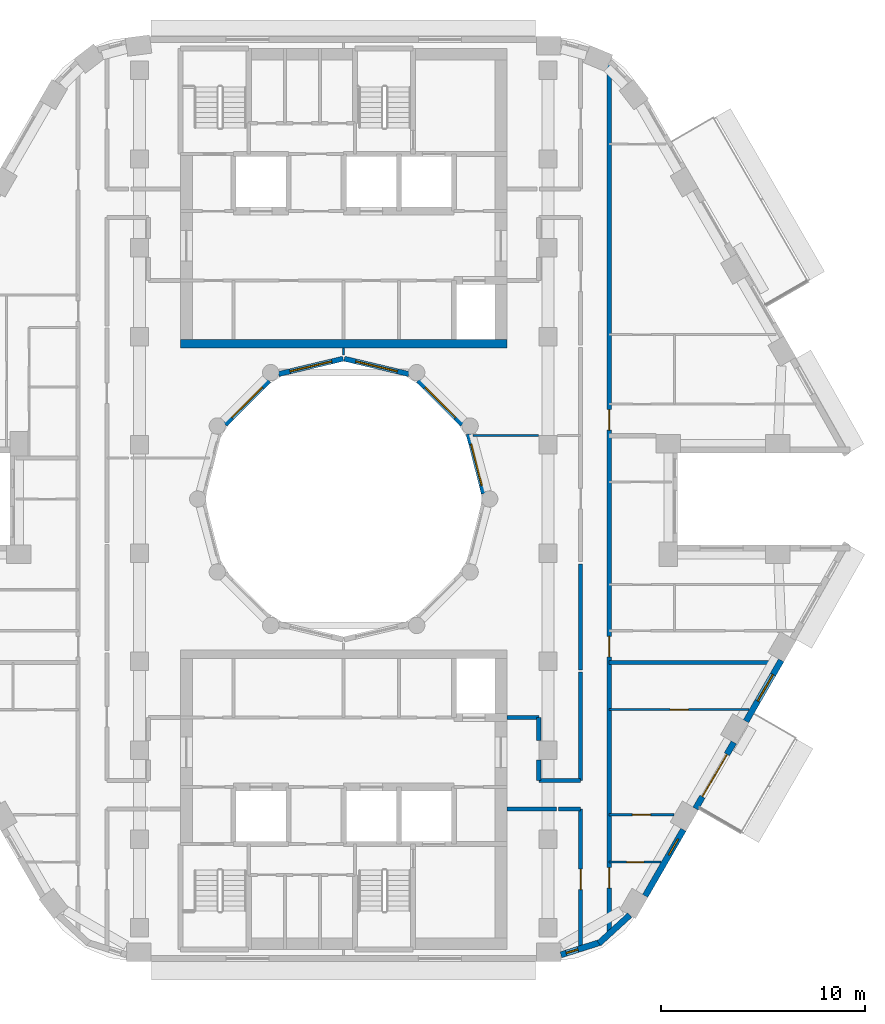
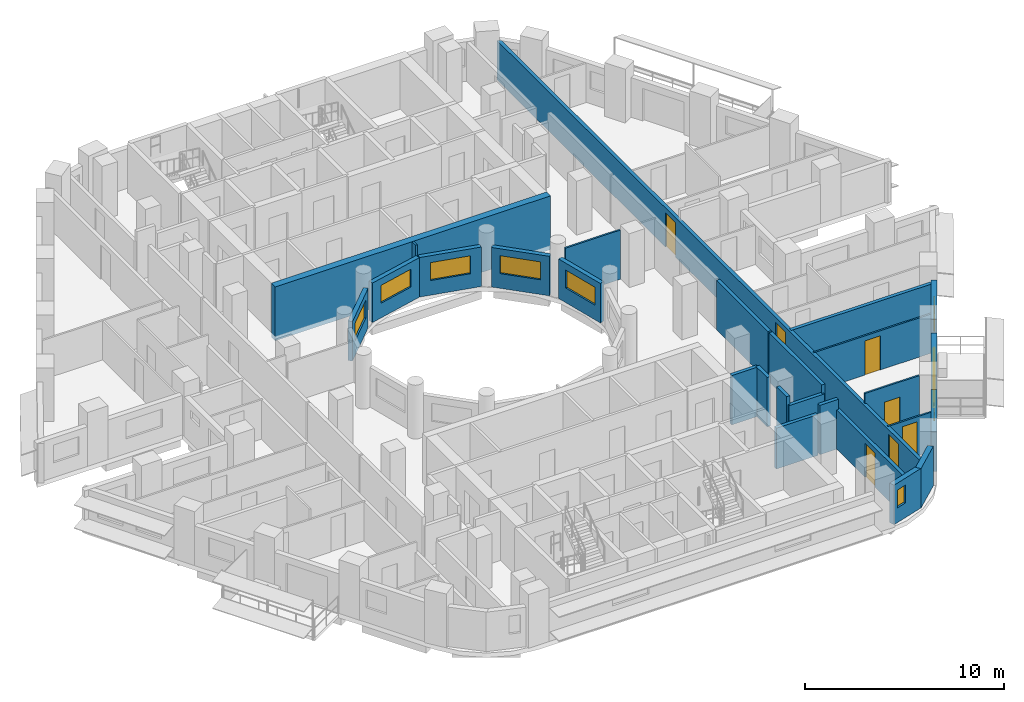
# One storey, part 6 of 18: 27 walls, 8 doors, 8 windows, 16 openings.
"""IFC4 building model written with IfcOpenShell, lengths in metres."""

from ifc_helpers import new_model, si_unit, direction, frame, frame_2d, origin, place, context, subcontext, project, spatial, rectangle, extrude, material, layer, layer_set, type_object, element, fill, save


model = new_model("IFC4")

# Units and contexts
model_context = context("Model", 3, precision=1e-05, world=origin(), true_north=direction((0.0, 1.0)))
body_context = subcontext(model_context, "Body", "Model", "MODEL_VIEW")
ifc_project = project(units=[si_unit("LENGTHUNIT", "METRE"), si_unit("AREAUNIT", "SQUARE_METRE"), si_unit("VOLUMEUNIT", "CUBIC_METRE"), si_unit("PLANEANGLEUNIT", "RADIAN"), si_unit("MASSUNIT", "GRAM", prefix="KILO")], contexts=[model_context])

# Site, building, storey
site_placement = place(None, origin())
site = spatial("IfcSite", under=ifc_project, at=site_placement, CompositionType="ELEMENT")
building_placement = place(site_placement, origin())
building = spatial("IfcBuilding", under=site, at=building_placement, Name="Nakaniwa Court", CompositionType="ELEMENT")
storey_placement = place(building_placement, frame((0.0, 0.0, 180.0)))
storey = spatial("IfcBuildingStorey", under=building, at=storey_placement, Name="L46", CompositionType="ELEMENT", Elevation=180.0)

# Wall, opening, door
ifc_material_1 = material(Name="Acoustic double stud partition")
ifc_layer_1 = layer(ifc_material_1, 0.199951171875)
ifc_layer_set_1 = layer_set([ifc_layer_1], Name="Acoustic double stud partition")
wall_type_1 = type_object("IfcWallType", Name="Acoustic double stud partition 200", PredefinedType="PARTITIONING", material=ifc_layer_set_1)
wall_1_placement = place(storey_placement, frame((91.60009765625, 57.92626953125, 0.0), z_axis=(0.0, 0.0, 1.0), x_axis=(0.0, 1.0, 0.0)))
wall_1 = element("IfcWall", 1, at=wall_1_placement, inside=storey, type_object=wall_type_1, Name="Partition PW-071", PredefinedType="PARTITIONING", context=body_context, shape_type="SweptSolid", body=[
    extrude(rectangle(XDim=6.898681640625, YDim=0.199951171875, at=frame_2d((3.44921875, 0.0))), origin(), (0.0, 0.0, 1.0), 2.405029296875),
])
opening_1_placement = place(wall_1_placement, frame((2.948974609375, 0.0, 0.0)))
opening_1 = element("IfcOpeningElement", 2, at=opening_1_placement, cuts=wall_1, Name="Opening D-02-01", PredefinedType="OPENING", context=body_context, shape_type="SweptSolid", body=[
    extrude(rectangle(XDim=1.0, YDim=2.10009765625, at=frame_2d((0.5, 1.050048828125))), frame((0.0, 0.10986328125, 0.0), z_axis=(0.0, -1.0, 0.0), x_axis=(1.0, 0.0, 0.0)), (0.0, 0.0, 1.0), 0.219970703125),
])
ifc_material_2 = material(Name="Solid core timber door set, black veneer", Category="wood")
door_type_1 = type_object("IfcDoorType", Name="Internal door 1000", OperationType="NOTDEFINED", PredefinedType="DOOR", material=ifc_material_2)
door_1_placement = place(opening_1_placement, origin())
door_1 = element("IfcDoor", 3, at=door_1_placement, inside=storey, type_object=door_type_1, Name="Door D-02-01 L46-027", OperationType="SINGLE_SWING_RIGHT", OverallHeight=2.10009765625, OverallWidth=1.0, PredefinedType="DOOR", context=body_context, shape_type="SweptSolid", body=[
    extrude(rectangle(XDim=1.0, YDim=2.10009765625, at=frame_2d((0.5, 1.050048828125))), frame((0.0, 0.02490234375, 0.0), z_axis=(0.0, -1.0, 0.0), x_axis=(1.0, 0.0, 0.0)), (0.0, 0.0, 1.0), 0.050048828125),
])
fill(opening_1, door_1)

# Walls
wall_2_placement = place(storey_placement, frame((91.60009765625, 66.22509765625, 0.0), z_axis=(0.0, 0.0, 1.0), x_axis=(0.0, 1.0, 0.0)))
element("IfcWall", 4, at=wall_2_placement, inside=storey, type_object=wall_type_1, Name="Partition PW-072", PredefinedType="PARTITIONING", context=body_context, shape_type="SweptSolid", body=[
    extrude(rectangle(XDim=5.297607421875, YDim=0.199951171875, at=frame_2d((2.64892578125, 0.0))), origin(), (0.0, 0.0, 1.0), 3.02490234375),
])
wall_3_placement = place(storey_placement, frame((91.60009765625, 71.63720703125, 0.0), z_axis=(0.0, 0.0, 1.0), x_axis=(0.0, 1.0, 0.0)))
element("IfcWall", 5, at=wall_3_placement, inside=storey, type_object=wall_type_1, Name="Partition PW-073", PredefinedType="PARTITIONING", context=body_context, shape_type="SweptSolid", body=[
    extrude(rectangle(XDim=5.185546875, YDim=0.199951171875, at=frame_2d((2.5927734375, 0.0))), origin(), (0.0, 0.0, 1.0), 3.02490234375),
])
wall_4_placement = place(storey_placement, frame((88.0, 64.824951171875, 0.0), z_axis=(0.0, 0.0, 1.0), x_axis=(1.0, 0.0, 0.0)))
element("IfcWall", 6, at=wall_4_placement, inside=storey, type_object=wall_type_1, Name="Partition PW-079", PredefinedType="PARTITIONING", context=body_context, shape_type="SweptSolid", body=[
    extrude(rectangle(XDim=2.412841796875, YDim=0.199951171875, at=frame_2d((1.20654296875, 0.0))), origin(), (0.0, 0.0, 1.0), 2.5048828125),
])
wall_5_placement = place(storey_placement, frame((90.527099609375, 64.824951171875, 0.0), z_axis=(0.0, 0.0, 1.0), x_axis=(1.0, 0.0, 0.0)))
element("IfcWall", 7, at=wall_5_placement, inside=storey, type_object=wall_type_1, Name="Partition PW-080", PredefinedType="PARTITIONING", context=body_context, shape_type="SweptSolid", body=[
    extrude(rectangle(XDim=1.072998046875, YDim=0.199951171875, at=frame_2d((0.53662109375, 0.0))), origin(), (0.0, 0.0, 1.0), 3.02490234375),
])

# Wall, openings, doors
wall_6_placement = place(storey_placement, frame((93.0, 101.28076171875, 0.0), z_axis=(0.0, 0.0, 1.0), x_axis=(0.0, -1.0, 0.0)))
wall_6 = element("IfcWall", 8, at=wall_6_placement, inside=storey, type_object=wall_type_1, Name="Partition PW-081", PredefinedType="PARTITIONING", context=body_context, shape_type="SweptSolid", body=[
    extrude(rectangle(XDim=42.6064453125, YDim=0.199951171875, at=frame_2d((21.30322265625, 0.0))), origin(), (0.0, 0.0, 1.0), 2.405029296875),
])
opening_2_placement = place(wall_6_placement, frame((39.330078125, 0.0, 0.0)))
opening_2 = element("IfcOpeningElement", 9, at=opening_2_placement, cuts=wall_6, Name="Opening D-01-01", PredefinedType="OPENING", context=body_context, shape_type="SweptSolid", body=[
    extrude(rectangle(XDim=1.0, YDim=2.10009765625, at=frame_2d((0.5, 1.050048828125))), frame((0.0, 0.10986328125, 0.0), z_axis=(0.0, -1.0, 0.0), x_axis=(1.0, 0.0, 0.0)), (0.0, 0.0, 1.0), 0.219970703125),
])
opening_3_placement = place(wall_6_placement, frame((28.0048828125, 0.0, 0.0)))
opening_3 = element("IfcOpeningElement", 10, at=opening_3_placement, cuts=wall_6, Name="Opening D-01-02", PredefinedType="OPENING", context=body_context, shape_type="SweptSolid", body=[
    extrude(rectangle(XDim=1.0, YDim=2.10009765625, at=frame_2d((0.5, 1.050048828125))), frame((0.0, 0.10986328125, 0.0), z_axis=(0.0, -1.0, 0.0), x_axis=(1.0, 0.0, 0.0)), (0.0, 0.0, 1.0), 0.219970703125),
])
opening_4_placement = place(wall_6_placement, frame((16.905029296875, 0.0, 0.0)))
opening_4 = element("IfcOpeningElement", 11, at=opening_4_placement, cuts=wall_6, Name="Opening D-01-03", PredefinedType="OPENING", context=body_context, shape_type="SweptSolid", body=[
    extrude(rectangle(XDim=1.0, YDim=2.10009765625, at=frame_2d((0.5, 1.050048828125))), frame((0.0, 0.10986328125, 0.0), z_axis=(0.0, -1.0, 0.0), x_axis=(1.0, 0.0, 0.0)), (0.0, 0.0, 1.0), 0.219970703125),
])
door_type_2 = type_object("IfcDoorType", Name="Flat entrance door 1000", OperationType="NOTDEFINED", PredefinedType="DOOR", material=ifc_material_2)
door_2_placement = place(opening_2_placement, origin())
door_2 = element("IfcDoor", 12, at=door_2_placement, inside=storey, type_object=door_type_2, Name="Door D-01-01 L46-028", OperationType="SINGLE_SWING_LEFT", OverallHeight=2.10009765625, OverallWidth=1.0, PredefinedType="DOOR", context=body_context, shape_type="SweptSolid", body=[
    extrude(rectangle(XDim=1.0, YDim=2.10009765625, at=frame_2d((0.5, 1.050048828125))), frame((0.0, 0.02490234375, 0.0), z_axis=(0.0, -1.0, 0.0), x_axis=(1.0, 0.0, 0.0)), (0.0, 0.0, 1.0), 0.050048828125),
])
fill(opening_2, door_2)
door_3_placement = place(opening_3_placement, origin())
door_3 = element("IfcDoor", 13, at=door_3_placement, inside=storey, type_object=door_type_2, Name="Door D-01-02 L46-033", OperationType="SINGLE_SWING_RIGHT", OverallHeight=2.10009765625, OverallWidth=1.0, PredefinedType="DOOR", context=body_context, shape_type="SweptSolid", body=[
    extrude(rectangle(XDim=1.0, YDim=2.10009765625, at=frame_2d((0.5, 1.050048828125))), frame((0.0, 0.02490234375, 0.0), z_axis=(0.0, -1.0, 0.0), x_axis=(1.0, 0.0, 0.0)), (0.0, 0.0, 1.0), 0.050048828125),
])
fill(opening_3, door_3)
door_4_placement = place(opening_4_placement, origin())
door_4 = element("IfcDoor", 14, at=door_4_placement, inside=storey, type_object=door_type_2, Name="Door D-01-03 L46-039", OperationType="SINGLE_SWING_RIGHT", OverallHeight=2.10009765625, OverallWidth=1.0, PredefinedType="DOOR", context=body_context, shape_type="SweptSolid", body=[
    extrude(rectangle(XDim=1.0, YDim=2.10009765625, at=frame_2d((0.5, 1.050048828125))), frame((0.0, 0.02490234375, 0.0), z_axis=(0.0, -1.0, 0.0), x_axis=(1.0, 0.0, 0.0)), (0.0, 0.0, 1.0), 0.050048828125),
])
fill(opening_4, door_4)

# Walls
wall_7_placement = place(storey_placement, frame((88.0, 69.300048828125, 0.0), z_axis=(0.0, 0.0, 1.0), x_axis=(1.0, 0.0, 0.0)))
element("IfcWall", 15, at=wall_7_placement, inside=storey, type_object=wall_type_1, Name="Partition PW-083", PredefinedType="PARTITIONING", context=body_context, shape_type="SweptSolid", body=[
    extrude(rectangle(XDim=1.550048828125, YDim=0.199951171875, at=frame_2d((0.77490234375, 0.0))), origin(), (0.0, 0.0, 1.0), 3.02490234375),
])
wall_8_placement = place(storey_placement, frame((89.550048828125, 66.22509765625, 0.0), z_axis=(0.0, 0.0, 1.0), x_axis=(0.0, 1.0, 0.0)))
element("IfcWall", 16, at=wall_8_placement, inside=storey, type_object=wall_type_1, Name="Partition PW-084", PredefinedType="PARTITIONING", context=body_context, shape_type="SweptSolid", body=[
    extrude(rectangle(XDim=1.0078125, YDim=0.199951171875, at=frame_2d((0.50390625, 0.0))), origin(), (0.0, 0.0, 1.0), 3.02490234375),
])
wall_9_placement = place(storey_placement, frame((89.550048828125, 68.167236328125, 0.0), z_axis=(0.0, 0.0, 1.0), x_axis=(0.0, 1.0, 0.0)))
element("IfcWall", 17, at=wall_9_placement, inside=storey, type_object=wall_type_1, Name="Partition PW-085", PredefinedType="PARTITIONING", context=body_context, shape_type="SweptSolid", body=[
    extrude(rectangle(XDim=1.1328125, YDim=0.199951171875, at=frame_2d((0.56640625, 0.0))), origin(), (0.0, 0.0, 1.0), 3.02490234375),
])
wall_10_placement = place(storey_placement, frame((89.550048828125, 66.22509765625, 0.0), z_axis=(0.0, 0.0, 1.0), x_axis=(1.0, 0.0, 0.0)))
element("IfcWall", 18, at=wall_10_placement, inside=storey, type_object=wall_type_1, Name="Partition PW-089", PredefinedType="PARTITIONING", context=body_context, shape_type="SweptSolid", body=[
    extrude(rectangle(XDim=2.050048828125, YDim=0.199951171875, at=frame_2d((1.02490234375, 0.0))), origin(), (0.0, 0.0, 1.0), 2.5048828125),
])
wall_11_placement = place(storey_placement, frame((93.001220703125, 72.0, 0.0), z_axis=(0.0, 0.0, 1.0), x_axis=(1.0, 0.0, 0.0)))
element("IfcWall", 19, at=wall_11_placement, inside=storey, type_object=wall_type_1, Name="Partition PW-120", PredefinedType="PARTITIONING", context=body_context, shape_type="SweptSolid", body=[
    extrude(rectangle(XDim=8.1875, YDim=0.199951171875, at=frame_2d((4.09375, 0.0))), origin(), (0.0, 0.0, 1.0), 2.405029296875),
])

# Wall, opening, window
ifc_material_3 = material(Name="Charcoal ceramic cladding")
ifc_layer_2 = layer(ifc_material_3, 0.02, Name="Ceramic cladding")
ifc_material_4 = material(Name="Ventilated air cavity")
ifc_layer_3 = layer(ifc_material_4, 0.04, ventilated=True, Name="Ventilated cavity")
ifc_material_5 = material(Name="Mineral wool insulation")
ifc_layer_4 = layer(ifc_material_5, 0.1, Name="Insulation")
ifc_material_6 = material(Name="Cement bonded sheathing board")
ifc_layer_5 = layer(ifc_material_6, 0.012, Name="Sheathing")
ifc_material_7 = material(Name="Cold-formed galvanised stud frame with mineral wool infill")
ifc_layer_6 = layer(ifc_material_7, 0.1, Name="Stud frame")
ifc_material_8 = material(Name="Fire-rated gypsum plasterboard lining")
ifc_layer_7 = layer(ifc_material_8, 0.028, Name="Lining")
ifc_layer_set_2 = layer_set([ifc_layer_2, ifc_layer_3, ifc_layer_4, ifc_layer_5, ifc_layer_6, ifc_layer_7], Name="Charcoal ceramic faced external wall system")
wall_type_2 = type_object("IfcWallType", Name="Black ceramic faced external wall 300", PredefinedType="SOLIDWALL", material=ifc_layer_set_2)
wall_12_placement = place(storey_placement, frame((90.6357421875, 57.684814453125, 0.0), z_axis=(0.0, 0.0, 1.0), x_axis=(0.95368324118, 0.300812691707, 0.0)))
wall_12 = element("IfcWall", 20, at=wall_12_placement, inside=storey, type_object=wall_type_2, Name="L46 external wall 27", PredefinedType="SOLIDWALL", context=body_context, shape_type="SweptSolid", body=[
    extrude(rectangle(XDim=2.053466796875, YDim=0.300048828125, at=frame_2d((1.02685546875, 0.0))), origin(), (0.0, 0.0, 1.0), 2.425048828125),
])
opening_5_placement = place(wall_12_placement, frame((0.271240234375, 0.0, 0.89990234375)))
opening_5 = element("IfcOpeningElement", 21, at=opening_5_placement, cuts=wall_12, Name="Opening W8.28", PredefinedType="OPENING", context=body_context, shape_type="SweptSolid", body=[
    extrude(rectangle(XDim=0.60009765625, YDim=1.10009765625, at=frame_2d((0.300048828125, 0.550048828125))), frame((0.0, 0.159912109375, 0.0), z_axis=(0.0, -1.0, 0.0), x_axis=(1.0, 0.0, 0.0)), (0.0, 0.0, 1.0), 0.320068359375),
])
ifc_material_9 = material(Name="Black anodised aluminium frame with dark low-E laminated double glazing", Category="aluminium")
window_type_1 = type_object("IfcWindowType", Name="Dark glass window 600x1100 sill 900", PartitioningType="SINGLE_PANEL", PredefinedType="WINDOW", material=ifc_material_9)
window_1_placement = place(opening_5_placement, origin())
window_1 = element("IfcWindow", 22, at=window_1_placement, inside=storey, type_object=window_type_1, Name="L46 habitable room window 27-0", OverallHeight=1.10009765625, OverallWidth=0.60009765625, PartitioningType="SINGLE_PANEL", PredefinedType="WINDOW", context=body_context, shape_type="SweptSolid", body=[
    extrude(rectangle(XDim=0.60009765625, YDim=1.10009765625, at=frame_2d((0.300048828125, 0.550048828125))), frame((0.0, 0.030029296875, 0.0), z_axis=(0.0, -1.0, 0.0), x_axis=(1.0, 0.0, 0.0)), (0.0, 0.0, 1.0), 0.06005859375),
])
fill(opening_5, window_1)

# Wall
wall_13_placement = place(storey_placement, frame((92.494140625, 58.243896484375, 0.0), z_axis=(0.0, 0.0, 1.0), x_axis=(0.73764876128, 0.675184645102, 0.0)))
element("IfcWall", 23, at=wall_13_placement, inside=storey, type_object=wall_type_2, Name="L46 external wall 28", PredefinedType="SOLIDWALL", context=body_context, shape_type="SweptSolid", body=[
    extrude(rectangle(XDim=2.048095703125, YDim=0.300048828125, at=frame_2d((1.02392578125, 0.0))), origin(), (0.0, 0.0, 1.0), 2.425048828125),
])

# Wall, opening, window
wall_14_placement = place(storey_placement, frame((94.760986328125, 60.566650390625, 0.0), z_axis=(0.0, 0.0, 1.0), x_axis=(0.499982088007, 0.866035745032, 0.0)))
wall_14 = element("IfcWall", 24, at=wall_14_placement, inside=storey, type_object=wall_type_2, Name="L46 external wall 29", PredefinedType="SOLIDWALL", context=body_context, shape_type="SweptSolid", body=[
    extrude(rectangle(XDim=3.744384765625, YDim=0.300048828125, at=frame_2d((1.8720703125, 0.0))), origin(), (0.0, 0.0, 1.0), 2.425048828125),
])
opening_6_placement = place(wall_14_placement, frame((2.318603515625, 0.0, 1.5)))
opening_6 = element("IfcOpeningElement", 25, at=opening_6_placement, cuts=wall_14, Name="Opening W10.29", PredefinedType="OPENING", context=body_context, shape_type="SweptSolid", body=[
    extrude(rectangle(XDim=0.89990234375, YDim=0.5, at=frame_2d((0.449951171875, 0.25))), frame((0.0, 0.159912109375, 0.0), z_axis=(0.0, -1.0, 0.0), x_axis=(1.0, 0.0, 0.0)), (0.0, 0.0, 1.0), 0.320068359375),
])
window_type_2 = type_object("IfcWindowType", Name="Dark glass window 900x500 sill 1500", PartitioningType="SINGLE_PANEL", PredefinedType="WINDOW", material=ifc_material_9)
window_2_placement = place(opening_6_placement, origin())
window_2 = element("IfcWindow", 26, at=window_2_placement, inside=storey, type_object=window_type_2, Name="L46 bathroom window 29-1", OverallHeight=0.5, OverallWidth=0.89990234375, PartitioningType="SINGLE_PANEL", PredefinedType="WINDOW", context=body_context, shape_type="SweptSolid", body=[
    extrude(rectangle(XDim=0.89990234375, YDim=0.5, at=frame_2d((0.449951171875, 0.25))), frame((0.0, 0.030029296875, 0.0), z_axis=(0.0, -1.0, 0.0), x_axis=(1.0, 0.0, 0.0)), (0.0, 0.0, 1.0), 0.06005859375),
])
fill(opening_6, window_2)

# Wall, opening, door
wall_15_placement = place(storey_placement, frame((97.22900390625, 64.841552734375, 0.0), z_axis=(0.0, 0.0, 1.0), x_axis=(0.500059225181, 0.86599120741, 0.0)))
wall_15 = element("IfcWall", 27, at=wall_15_placement, inside=storey, type_object=wall_type_2, Name="L46 external wall 30", PredefinedType="SOLIDWALL", context=body_context, shape_type="SweptSolid", body=[
    extrude(rectangle(XDim=3.744140625, YDim=0.300048828125, at=frame_2d((1.8720703125, 0.0))), origin(), (0.0, 0.0, 1.0), 2.425048828125),
])
opening_7_placement = place(wall_15_placement, frame((0.672119140625, 0.0, 0.0)))
opening_7 = element("IfcOpeningElement", 28, at=opening_7_placement, cuts=wall_15, Name="Opening XD13.03", PredefinedType="OPENING", context=body_context, shape_type="SweptSolid", body=[
    extrude(rectangle(XDim=2.39990234375, YDim=2.0, at=frame_2d((1.199951171875, 1.0))), frame((0.0, 0.159912109375, 0.0), z_axis=(0.0, -1.0, 0.0), x_axis=(1.0, 0.0, 0.0)), (0.0, 0.0, 1.0), 0.320068359375),
])
ifc_material_10 = material(Name="Black powder-coated aluminium frame with dark laminated glass", Category="aluminium")
door_type_3 = type_object("IfcDoorType", Name="Balcony sliding door 2400x2000", OperationType="DOUBLE_DOOR_SLIDING", PredefinedType="DOOR", material=ifc_material_10)
door_5_placement = place(opening_7_placement, origin())
door_5 = element("IfcDoor", 29, at=door_5_placement, inside=storey, type_object=door_type_3, Name="L46 balcony sliding door 02", OperationType="DOUBLE_DOOR_SLIDING", OverallHeight=2.0, OverallWidth=2.39990234375, PredefinedType="DOOR", context=body_context, shape_type="SweptSolid", body=[
    extrude(rectangle(XDim=2.39990234375, YDim=2.0, at=frame_2d((1.199951171875, 1.0))), frame((0.0, 0.02490234375, 0.0), z_axis=(0.0, -1.0, 0.0), x_axis=(1.0, 0.0, 0.0)), (0.0, 0.0, 1.0), 0.050048828125),
])
fill(opening_7, door_5)

# Wall, opening, window
wall_16_placement = place(storey_placement, frame((99.697265625, 69.116455078125, 0.0), z_axis=(0.0, 0.0, 1.0), x_axis=(0.499955427682, 0.866051136095, 0.0)))
wall_16 = element("IfcWall", 30, at=wall_16_placement, inside=storey, type_object=wall_type_2, Name="L46 external wall 31", PredefinedType="SOLIDWALL", context=body_context, shape_type="SweptSolid", body=[
    extrude(rectangle(XDim=3.447021484375, YDim=0.300048828125, at=frame_2d((1.7236328125, 0.0))), origin(), (0.0, 0.0, 1.0), 2.425048828125),
])
opening_8_placement = place(wall_16_placement, frame((1.14501953125, 0.0, 0.89990234375)))
opening_8 = element("IfcOpeningElement", 31, at=opening_8_placement, cuts=wall_16, Name="Opening W5.30", PredefinedType="OPENING", context=body_context, shape_type="SweptSolid", body=[
    extrude(rectangle(XDim=1.5, YDim=1.10009765625, at=frame_2d((0.75, 0.550048828125))), frame((0.0, 0.159912109375, 0.0), z_axis=(0.0, -1.0, 0.0), x_axis=(1.0, 0.0, 0.0)), (0.0, 0.0, 1.0), 0.320068359375),
])
window_type_3 = type_object("IfcWindowType", Name="Dark glass window 1500x1100 sill 900", PartitioningType="SINGLE_PANEL", PredefinedType="WINDOW", material=ifc_material_9)
window_3_placement = place(opening_8_placement, origin())
window_3 = element("IfcWindow", 32, at=window_3_placement, inside=storey, type_object=window_type_3, Name="L46 habitable room window 31-1", OverallHeight=1.10009765625, OverallWidth=1.5, PartitioningType="SINGLE_PANEL", PredefinedType="WINDOW", context=body_context, shape_type="SweptSolid", body=[
    extrude(rectangle(XDim=1.5, YDim=1.10009765625, at=frame_2d((0.75, 0.550048828125))), frame((0.0, 0.030029296875, 0.0), z_axis=(0.0, -1.0, 0.0), x_axis=(1.0, 0.0, 0.0)), (0.0, 0.0, 1.0), 0.06005859375),
])
fill(opening_8, window_3)

ifc_layer_8 = layer(ifc_material_3, 0.02, Name="Ceramic cladding")
ifc_layer_9 = layer(ifc_material_4, 0.04, ventilated=True, Name="Ventilated cavity")
ifc_layer_10 = layer(ifc_material_5, 0.075, Name="Insulation")
ifc_layer_11 = layer(ifc_material_6, 0.012, Name="Sheathing")
ifc_layer_12 = layer(ifc_material_7, 0.075, Name="Stud frame")
ifc_layer_13 = layer(ifc_material_8, 0.028, Name="Lining")
ifc_layer_set_3 = layer_set([ifc_layer_8, ifc_layer_9, ifc_layer_10, ifc_layer_11, ifc_layer_12, ifc_layer_13], Name="Charcoal ceramic faced external wall system")
wall_type_3 = type_object("IfcWallType", Name="Charcoal ceramic faced well wall 250", PredefinedType="SOLIDWALL", material=ifc_layer_set_3)
wall_17_placement = place(storey_placement, frame((74.1943359375, 83.660888671875, 0.0), z_axis=(0.0, 0.0, 1.0), x_axis=(0.707106781187, 0.707106781187, 0.0)))
wall_17 = element("IfcWall", 33, at=wall_17_placement, inside=storey, type_object=wall_type_3, Name="L46 external wall 43", PredefinedType="SOLIDWALL", context=body_context, shape_type="SweptSolid", body=[
    extrude(rectangle(XDim=3.033203125, YDim=0.25, at=frame_2d((1.5166015625, 0.0))), origin(), (0.0, 0.0, 1.0), 2.425048828125),
])
opening_9_placement = place(wall_17_placement, frame((0.466552734375, 0.0, 0.89990234375)))
opening_9 = element("IfcOpeningElement", 34, at=opening_9_placement, cuts=wall_17, Name="Opening W7.45", PredefinedType="OPENING", context=body_context, shape_type="SweptSolid", body=[
    extrude(rectangle(XDim=2.10009765625, YDim=1.10009765625, at=frame_2d((1.050048828125, 0.550048828125))), frame((0.0, 0.135009765625, 0.0), z_axis=(0.0, -1.0, 0.0), x_axis=(1.0, 0.0, 0.0)), (0.0, 0.0, 1.0), 0.27001953125),
])
window_type_4 = type_object("IfcWindowType", Name="Dark glass window 2100x1100 sill 900", PartitioningType="SINGLE_PANEL", PredefinedType="WINDOW", material=ifc_material_9)
window_4_placement = place(opening_9_placement, origin())
window_4 = element("IfcWindow", 35, at=window_4_placement, inside=storey, type_object=window_type_4, Name="L46 habitable room window 43-0", OverallHeight=1.10009765625, OverallWidth=2.10009765625, PartitioningType="SINGLE_PANEL", PredefinedType="WINDOW", context=body_context, shape_type="SweptSolid", body=[
    extrude(rectangle(XDim=2.10009765625, YDim=1.10009765625, at=frame_2d((1.050048828125, 0.550048828125))), frame((0.0, 0.030029296875, 0.0), z_axis=(0.0, -1.0, 0.0), x_axis=(1.0, 0.0, 0.0)), (0.0, 0.0, 1.0), 0.06005859375),
])
fill(opening_9, window_4)

wall_18_placement = place(storey_placement, frame((76.813720703125, 86.119384765625, 0.0), z_axis=(0.0, 0.0, 1.0), x_axis=(0.972773113459, 0.231759508395, 0.0)))
wall_18 = element("IfcWall", 36, at=wall_18_placement, inside=storey, type_object=wall_type_3, Name="L46 external wall 44", PredefinedType="SOLIDWALL", context=body_context, shape_type="SweptSolid", body=[
    extrude(rectangle(XDim=3.24560546875, YDim=0.25, at=frame_2d((1.622802734375, 0.0))), origin(), (0.0, 0.0, 1.0), 2.425048828125),
])
opening_10_placement = place(wall_18_placement, frame((0.57275390625, 0.0, 0.89990234375)))
opening_10 = element("IfcOpeningElement", 37, at=opening_10_placement, cuts=wall_18, Name="Opening W7.46", PredefinedType="OPENING", context=body_context, shape_type="SweptSolid", body=[
    extrude(rectangle(XDim=2.10009765625, YDim=1.10009765625, at=frame_2d((1.050048828125, 0.550048828125))), frame((0.0, 0.135009765625, 0.0), z_axis=(0.0, -1.0, 0.0), x_axis=(1.0, 0.0, 0.0)), (0.0, 0.0, 1.0), 0.27001953125),
])
window_5_placement = place(opening_10_placement, origin())
window_5 = element("IfcWindow", 38, at=window_5_placement, inside=storey, type_object=window_type_4, Name="L46 habitable room window 44-0", OverallHeight=1.10009765625, OverallWidth=2.10009765625, PartitioningType="SINGLE_PANEL", PredefinedType="WINDOW", context=body_context, shape_type="SweptSolid", body=[
    extrude(rectangle(XDim=2.10009765625, YDim=1.10009765625, at=frame_2d((1.050048828125, 0.550048828125))), frame((0.0, 0.030029296875, 0.0), z_axis=(0.0, -1.0, 0.0), x_axis=(1.0, 0.0, 0.0)), (0.0, 0.0, 1.0), 0.06005859375),
])
fill(opening_10, window_5)

wall_19_placement = place(storey_placement, frame((80.029052734375, 86.87158203125, 0.0), z_axis=(0.0, 0.0, 1.0), x_axis=(0.972773113459, -0.231759508395, 0.0)))
wall_19 = element("IfcWall", 39, at=wall_19_placement, inside=storey, type_object=wall_type_3, Name="L46 external wall 45", PredefinedType="SOLIDWALL", context=body_context, shape_type="SweptSolid", body=[
    extrude(rectangle(XDim=3.24560546875, YDim=0.25, at=frame_2d((1.622802734375, 0.0))), origin(), (0.0, 0.0, 1.0), 2.425048828125),
])
opening_11_placement = place(wall_19_placement, frame((0.57275390625, 0.0, 0.89990234375)))
opening_11 = element("IfcOpeningElement", 40, at=opening_11_placement, cuts=wall_19, Name="Opening W7.47", PredefinedType="OPENING", context=body_context, shape_type="SweptSolid", body=[
    extrude(rectangle(XDim=2.10009765625, YDim=1.10009765625, at=frame_2d((1.050048828125, 0.550048828125))), frame((0.0, 0.135009765625, 0.0), z_axis=(0.0, -1.0, 0.0), x_axis=(1.0, 0.0, 0.0)), (0.0, 0.0, 1.0), 0.27001953125),
])
window_6_placement = place(opening_11_placement, origin())
window_6 = element("IfcWindow", 41, at=window_6_placement, inside=storey, type_object=window_type_4, Name="L46 habitable room window 45-0", OverallHeight=1.10009765625, OverallWidth=2.10009765625, PartitioningType="SINGLE_PANEL", PredefinedType="WINDOW", context=body_context, shape_type="SweptSolid", body=[
    extrude(rectangle(XDim=2.10009765625, YDim=1.10009765625, at=frame_2d((1.050048828125, 0.550048828125))), frame((0.0, 0.030029296875, 0.0), z_axis=(0.0, -1.0, 0.0), x_axis=(1.0, 0.0, 0.0)), (0.0, 0.0, 1.0), 0.06005859375),
])
fill(opening_11, window_6)

wall_20_placement = place(storey_placement, frame((83.660888671875, 85.8056640625, 0.0), z_axis=(0.0, 0.0, 1.0), x_axis=(0.707106781187, -0.707106781187, 0.0)))
wall_20 = element("IfcWall", 42, at=wall_20_placement, inside=storey, type_object=wall_type_3, Name="L46 external wall 46", PredefinedType="SOLIDWALL", context=body_context, shape_type="SweptSolid", body=[
    extrude(rectangle(XDim=3.033203125, YDim=0.25, at=frame_2d((1.5166015625, 0.0))), origin(), (0.0, 0.0, 1.0), 2.425048828125),
])
opening_12_placement = place(wall_20_placement, frame((0.466552734375, 0.0, 0.89990234375)))
opening_12 = element("IfcOpeningElement", 43, at=opening_12_placement, cuts=wall_20, Name="Opening W7.48", PredefinedType="OPENING", context=body_context, shape_type="SweptSolid", body=[
    extrude(rectangle(XDim=2.10009765625, YDim=1.10009765625, at=frame_2d((1.050048828125, 0.550048828125))), frame((0.0, 0.135009765625, 0.0), z_axis=(0.0, -1.0, 0.0), x_axis=(1.0, 0.0, 0.0)), (0.0, 0.0, 1.0), 0.27001953125),
])
window_7_placement = place(opening_12_placement, origin())
window_7 = element("IfcWindow", 44, at=window_7_placement, inside=storey, type_object=window_type_4, Name="L46 habitable room window 46-0", OverallHeight=1.10009765625, OverallWidth=2.10009765625, PartitioningType="SINGLE_PANEL", PredefinedType="WINDOW", context=body_context, shape_type="SweptSolid", body=[
    extrude(rectangle(XDim=2.10009765625, YDim=1.10009765625, at=frame_2d((1.050048828125, 0.550048828125))), frame((0.0, 0.030029296875, 0.0), z_axis=(0.0, -1.0, 0.0), x_axis=(1.0, 0.0, 0.0)), (0.0, 0.0, 1.0), 0.06005859375),
])
fill(opening_12, window_7)

wall_21_placement = place(storey_placement, frame((86.11669921875, 83.186767578125, 0.0), z_axis=(0.0, 0.0, 1.0), x_axis=(0.247055971283, -0.969001211069, 0.0)))
wall_21 = element("IfcWall", 45, at=wall_21_placement, inside=storey, type_object=wall_type_3, Name="L46 external wall 47", PredefinedType="SOLIDWALL", context=body_context, shape_type="SweptSolid", body=[
    extrude(rectangle(XDim=3.010009765625, YDim=0.25, at=frame_2d((1.5048828125, 0.0))), origin(), (0.0, 0.0, 1.0), 2.425048828125),
])
opening_13_placement = place(wall_21_placement, frame((0.509521484375, 0.0, 0.89990234375)))
opening_13 = element("IfcOpeningElement", 46, at=opening_13_placement, cuts=wall_21, Name="Opening W7.49", PredefinedType="OPENING", context=body_context, shape_type="SweptSolid", body=[
    extrude(rectangle(XDim=2.10009765625, YDim=1.10009765625, at=frame_2d((1.050048828125, 0.550048828125))), frame((0.0, 0.135009765625, 0.0), z_axis=(0.0, -1.0, 0.0), x_axis=(1.0, 0.0, 0.0)), (0.0, 0.0, 1.0), 0.27001953125),
])
window_8_placement = place(opening_13_placement, origin())
window_8 = element("IfcWindow", 47, at=window_8_placement, inside=storey, type_object=window_type_4, Name="L46 habitable room window 47-1", OverallHeight=1.10009765625, OverallWidth=2.10009765625, PartitioningType="SINGLE_PANEL", PredefinedType="WINDOW", context=body_context, shape_type="SweptSolid", body=[
    extrude(rectangle(XDim=2.10009765625, YDim=1.10009765625, at=frame_2d((1.050048828125, 0.550048828125))), frame((0.0, 0.030029296875, 0.0), z_axis=(0.0, -1.0, 0.0), x_axis=(1.0, 0.0, 0.0)), (0.0, 0.0, 1.0), 0.06005859375),
])
fill(opening_13, window_8)

# Walls
ifc_material_11 = material(Name="Concrete C80/100", Category="concrete")
ifc_layer_14 = layer(ifc_material_11, 0.39990234375)
ifc_layer_set_4 = layer_set([ifc_layer_14], Name="Concrete C80/100")
wall_type_4 = type_object("IfcWallType", Name="Concrete core well wall 400 C80", PredefinedType="SHEAR", material=ifc_layer_set_4)
wall_22_placement = place(storey_placement, frame((72.00390625, 87.60009765625, -0.27490234375), z_axis=(0.0, 0.0, 1.0), x_axis=(1.0, 0.0, 0.0)))
element("IfcWall", 48, at=wall_22_placement, inside=storey, type_object=wall_type_4, Name="Core wall SW-144", PredefinedType="SHEAR", context=body_context, shape_type="SweptSolid", body=[
    extrude(rectangle(XDim=15.9921875, YDim=0.39990234375, at=frame_2d((7.99609375, 0.0))), origin(), (0.0, 0.0, 1.0), 3.2998046875),
])
ifc_material_12 = material(Name="Single stud plasterboard partition")
ifc_layer_15 = layer(ifc_material_12, 0.10009765625)
ifc_layer_set_5 = layer_set([ifc_layer_15], Name="Single stud plasterboard partition")
wall_type_5 = type_object("IfcWallType", Name="Single stud plasterboard partition 100", PredefinedType="PARTITIONING", material=ifc_layer_set_5)
wall_23_placement = place(storey_placement, frame((80.0, 87.048095703125, 0.0), z_axis=(0.0, 0.0, 1.0), x_axis=(0.0, 1.0, 0.0)))
element("IfcWall", 49, at=wall_23_placement, inside=storey, type_object=wall_type_5, Name="Partition PW-111", PredefinedType="PARTITIONING", context=body_context, shape_type="SweptSolid", body=[
    extrude(rectangle(XDim=0.351806640625, YDim=0.10009765625, at=frame_2d((0.17578125, 0.0))), origin(), (0.0, 0.0, 1.0), 3.02490234375),
])

# Wall, opening, door
wall_24_placement = place(storey_placement, frame((93.0009765625, 62.22509765625, 0.0), z_axis=(0.0, 0.0, 1.0), x_axis=(1.0, 0.0, 0.0)))
wall_24 = element("IfcWall", 50, at=wall_24_placement, inside=storey, type_object=wall_type_5, Name="Partition PW-114", PredefinedType="PARTITIONING", context=body_context, shape_type="SweptSolid", body=[
    extrude(rectangle(XDim=2.544189453125, YDim=0.10009765625, at=frame_2d((1.27197265625, 0.0))), origin(), (0.0, 0.0, 1.0), 2.405029296875),
])
opening_14_placement = place(wall_24_placement, frame((0.846923828125, 0.0, 0.0)))
opening_14 = element("IfcOpeningElement", 51, at=opening_14_placement, cuts=wall_24, Name="Opening D-03-01", PredefinedType="OPENING", context=body_context, shape_type="SweptSolid", body=[
    extrude(rectangle(XDim=0.85009765625, YDim=2.10009765625, at=frame_2d((0.425048828125, 1.050048828125))), frame((0.0, 0.06005859375, 0.0), z_axis=(0.0, -1.0, 0.0), x_axis=(1.0, 0.0, 0.0)), (0.0, 0.0, 1.0), 0.1201171875),
])
ifc_material_13 = material(Name="Moisture sealed timber door set", Category="wood")
door_type_4 = type_object("IfcDoorType", Name="Bathroom door 850", OperationType="NOTDEFINED", PredefinedType="DOOR", material=ifc_material_13)
door_6_placement = place(opening_14_placement, origin())
door_6 = element("IfcDoor", 52, at=door_6_placement, inside=storey, type_object=door_type_4, Name="Door D-03-01 L46-029", OperationType="SINGLE_SWING_RIGHT", OverallHeight=2.10009765625, OverallWidth=0.85009765625, PredefinedType="DOOR", context=body_context, shape_type="SweptSolid", body=[
    extrude(rectangle(XDim=0.85009765625, YDim=2.10009765625, at=frame_2d((0.425048828125, 1.050048828125))), frame((0.0, 0.02490234375, 0.0), z_axis=(0.0, -1.0, 0.0), x_axis=(1.0, 0.0, 0.0)), (0.0, 0.0, 1.0), 0.050048828125),
])
fill(opening_14, door_6)

wall_25_placement = place(storey_placement, frame((93.0009765625, 64.5400390625, 0.0), z_axis=(0.0, 0.0, 1.0), x_axis=(1.0, 0.0, 0.0)))
wall_25 = element("IfcWall", 53, at=wall_25_placement, inside=storey, type_object=wall_type_5, Name="Partition PW-116", PredefinedType="PARTITIONING", context=body_context, shape_type="SweptSolid", body=[
    extrude(rectangle(XDim=3.1650390625, YDim=0.10009765625, at=frame_2d((1.58251953125, 0.0))), origin(), (0.0, 0.0, 1.0), 3.02490234375),
])
opening_15_placement = place(wall_25_placement, frame((1.132080078125, 0.0, 0.0)))
opening_15 = element("IfcOpeningElement", 54, at=opening_15_placement, cuts=wall_25, Name="Opening D-33-01", PredefinedType="OPENING", context=body_context, shape_type="SweptSolid", body=[
    extrude(rectangle(XDim=0.89990234375, YDim=2.10009765625, at=frame_2d((0.449951171875, 1.050048828125))), frame((0.0, 0.06005859375, 0.0), z_axis=(0.0, -1.0, 0.0), x_axis=(1.0, 0.0, 0.0)), (0.0, 0.0, 1.0), 0.1201171875),
])
door_type_5 = type_object("IfcDoorType", Name="Internal door 900", OperationType="NOTDEFINED", PredefinedType="DOOR", material=ifc_material_2)
door_7_placement = place(opening_15_placement, origin())
door_7 = element("IfcDoor", 55, at=door_7_placement, inside=storey, type_object=door_type_5, Name="Door D-33-01 L46-030", OperationType="SINGLE_SWING_LEFT", OverallHeight=2.10009765625, OverallWidth=0.89990234375, PredefinedType="DOOR", context=body_context, shape_type="SweptSolid", body=[
    extrude(rectangle(XDim=0.89990234375, YDim=2.10009765625, at=frame_2d((0.449951171875, 1.050048828125))), frame((0.0, 0.02490234375, 0.0), z_axis=(0.0, -1.0, 0.0), x_axis=(1.0, 0.0, 0.0)), (0.0, 0.0, 1.0), 0.050048828125),
])
fill(opening_15, door_7)

wall_26_placement = place(storey_placement, frame((93.0009765625, 69.68505859375, 0.0), z_axis=(0.0, 0.0, 1.0), x_axis=(1.0, 0.0, 0.0)))
wall_26 = element("IfcWall", 56, at=wall_26_placement, inside=storey, type_object=wall_type_5, Name="Partition PW-118", PredefinedType="PARTITIONING", context=body_context, shape_type="SweptSolid", body=[
    extrude(rectangle(XDim=6.851318359375, YDim=0.10009765625, at=frame_2d((3.42578125, 0.0))), origin(), (0.0, 0.0, 1.0), 2.405029296875),
])
opening_16_placement = place(wall_26_placement, frame((2.97607421875, 0.0, 0.0)))
opening_16 = element("IfcOpeningElement", 57, at=opening_16_placement, cuts=wall_26, Name="Opening D-33-02", PredefinedType="OPENING", context=body_context, shape_type="SweptSolid", body=[
    extrude(rectangle(XDim=0.89990234375, YDim=2.10009765625, at=frame_2d((0.449951171875, 1.050048828125))), frame((0.0, 0.06005859375, 0.0), z_axis=(0.0, -1.0, 0.0), x_axis=(1.0, 0.0, 0.0)), (0.0, 0.0, 1.0), 0.1201171875),
])
door_8_placement = place(opening_16_placement, origin())
door_8 = element("IfcDoor", 58, at=door_8_placement, inside=storey, type_object=door_type_5, Name="Door D-33-02 L46-031", OperationType="SINGLE_SWING_RIGHT", OverallHeight=2.10009765625, OverallWidth=0.89990234375, PredefinedType="DOOR", context=body_context, shape_type="SweptSolid", body=[
    extrude(rectangle(XDim=0.89990234375, YDim=2.10009765625, at=frame_2d((0.449951171875, 1.050048828125))), frame((0.0, 0.02490234375, 0.0), z_axis=(0.0, -1.0, 0.0), x_axis=(1.0, 0.0, 0.0)), (0.0, 0.0, 1.0), 0.050048828125),
])
fill(opening_16, door_8)

# Wall
wall_27_placement = place(storey_placement, frame((86.328125, 83.10009765625, 0.0), z_axis=(0.0, 0.0, 1.0), x_axis=(1.0, 0.0, 0.0)))
element("IfcWall", 59, at=wall_27_placement, inside=storey, type_object=wall_type_5, Name="Partition PW-121", PredefinedType="PARTITIONING", context=body_context, shape_type="SweptSolid", body=[
    extrude(rectangle(XDim=3.201904296875, YDim=0.10009765625, at=frame_2d((1.60107421875, 0.0))), origin(), (0.0, 0.0, 1.0), 3.02490234375),
])

save(model, "model.ifc")
